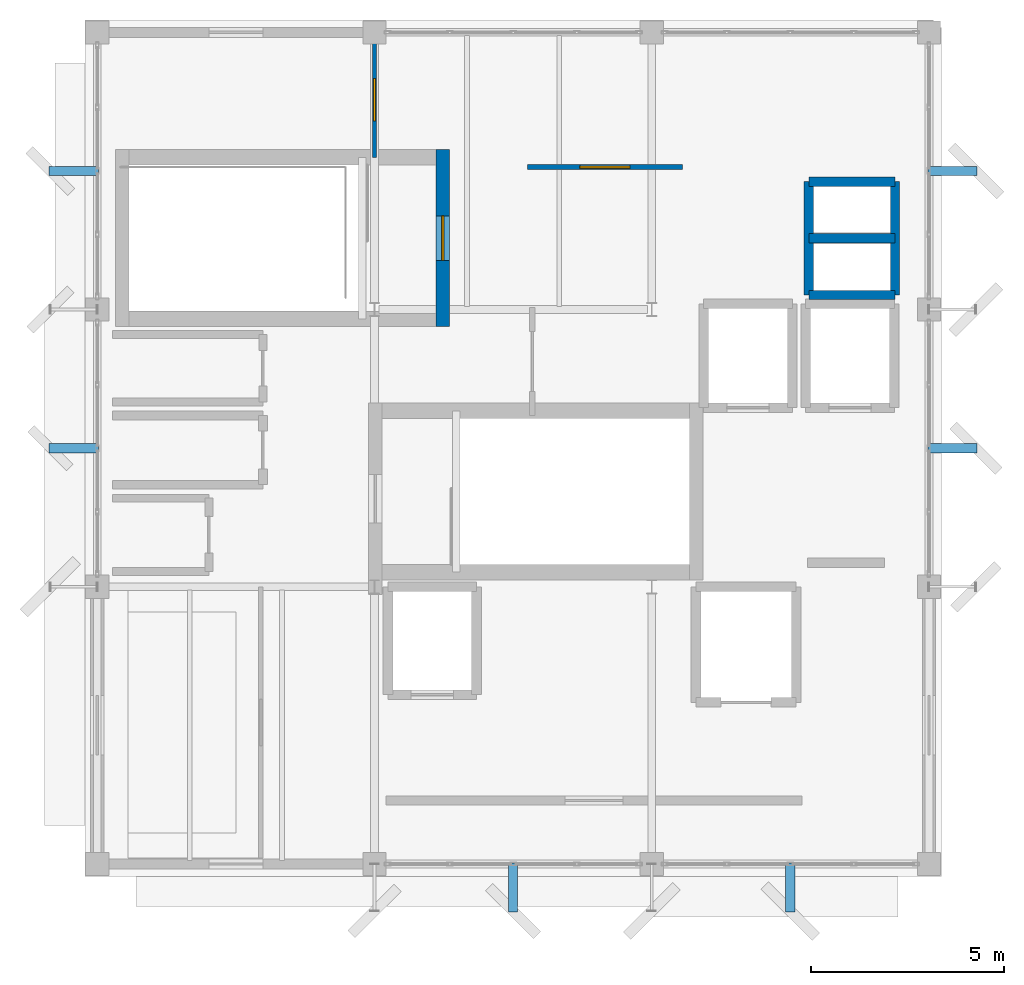
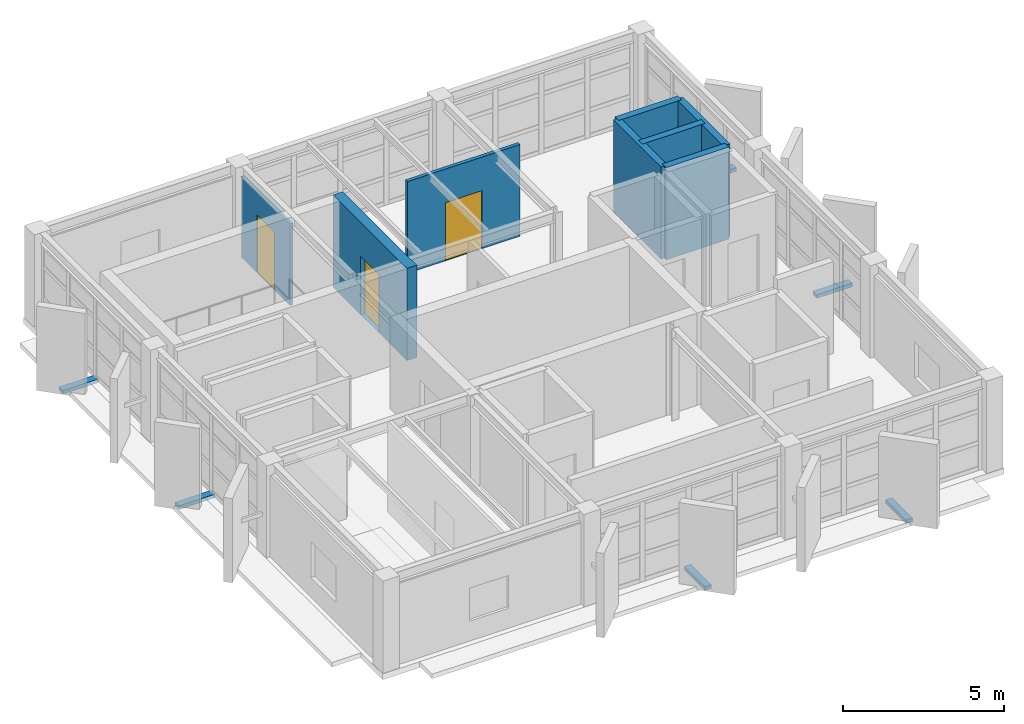
# One storey, part 10 of 13: 8 walls, 6 discrete accessories, 3 doors, 3 openings.
"""IFC4 building model written with IfcOpenShell, lengths in metres."""

from ifc_helpers import new_model, si_unit, direction, frame, frame_2d, origin, origin_2d, place, context, subcontext, project, spatial, rectangle, extrude, material, layer, layer_set, type_object, element, fill, save


model = new_model("IFC4")

# Units and contexts
model_context = context("Model", 3, precision=1e-05, world=origin(), true_north=direction((0.0, 1.0)))
body_context = subcontext(model_context, "Body", "Model", "MODEL_VIEW")
ifc_project = project(units=[si_unit("LENGTHUNIT", "METRE"), si_unit("AREAUNIT", "SQUARE_METRE"), si_unit("VOLUMEUNIT", "CUBIC_METRE"), si_unit("PLANEANGLEUNIT", "RADIAN"), si_unit("MASSUNIT", "GRAM", prefix="KILO")], contexts=[model_context])

# Site, building, storey
site_placement = place(None, origin())
site = spatial("IfcSite", under=ifc_project, at=site_placement, CompositionType="ELEMENT")
building_placement = place(site_placement, origin())
building = spatial("IfcBuilding", under=site, at=building_placement, Name="Kandorven Conservatory and Botanical Research Centre", CompositionType="ELEMENT")
storey_placement = place(building_placement, frame((0.0, 0.0, 63.14990234375)))
storey = spatial("IfcBuildingStorey", under=building, at=storey_placement, Name="L16", CompositionType="ELEMENT", Elevation=63.14990234375)

# Wall, opening, door
ifc_material_1 = material(Name="Concrete C40/50 (M50)", Category="concrete")
ifc_layer_1 = layer(ifc_material_1, 0.35009765625)
ifc_layer_set_1 = layer_set([ifc_layer_1], Name="Concrete C40/50 (M50)")
wall_type_1 = type_object("IfcWallType", Name="Wall_CW-RC-2", PredefinedType="SHEAR", material=ifc_layer_set_1)
wall_1_placement = place(storey_placement, frame((14.97509765625, 24.550048828125, 0.0), z_axis=(0.0, 0.0, 1.0), x_axis=(0.0, -1.0, 0.0)))
wall_1 = element("IfcWall", 1, at=wall_1_placement, inside=storey, type_object=wall_type_1, Name="Core stair shear wall CW-RC-2 ST-T2 L16 entry", PredefinedType="SHEAR", context=body_context, shape_type="SweptSolid", body=[
    extrude(rectangle(XDim=4.590087890625, YDim=0.35009765625, at=frame_2d((2.294921875, 0.0))), origin(), (0.0, 0.0, 1.0), 3.489990234375),
])
opening_1_placement = place(wall_1_placement, frame((1.719970703125, 0.0, 0.0)))
opening_1 = element("IfcOpeningElement", 2, at=opening_1_placement, cuts=wall_1, Name="Opening FD-2", PredefinedType="OPENING", context=body_context, shape_type="SweptSolid", body=[
    extrude(rectangle(XDim=1.14990234375, YDim=2.199951171875, at=frame_2d((0.574951171875, 1.10009765625))), frame((0.0, 0.18505859375, 0.0), z_axis=(0.0, -1.0, 0.0), x_axis=(1.0, 0.0, 0.0)), (0.0, 0.0, 1.0), 0.3701171875),
])
ifc_material_2 = material(Name="Galvanised hollow steel fire door assembly", Category="steel")
door_type_1 = type_object("IfcDoorType", Name="Door_FD-2", OperationType="NOTDEFINED", PredefinedType="DOOR", material=ifc_material_2)
door_1_placement = place(opening_1_placement, origin())
door_1 = element("IfcDoor", 3, at=door_1_placement, inside=storey, type_object=door_type_1, Name="Exit stair fire door FD-2 ST-T2 L16", OperationType="SINGLE_SWING_LEFT", OverallHeight=2.199951171875, OverallWidth=1.14990234375, PredefinedType="DOOR", context=body_context, shape_type="SweptSolid", body=[
    extrude(rectangle(XDim=1.14990234375, YDim=2.199951171875, at=frame_2d((0.574951171875, 1.10009765625))), frame((0.0, 0.02490234375, 0.0), z_axis=(0.0, -1.0, 0.0), x_axis=(1.0, 0.0, 0.0)), (0.0, 0.0, 1.0), 0.050048828125),
])
fill(opening_1, door_1)

# Walls
for number, where, z_axis, x_axis, name in (
    (4, (24.47998046875, 20.780029296875, 0.0), (0.0, 0.0, 1.0), (1.0, 0.0, 0.0), "Core MEP riser shaft wall CW-RC-2 L16 S"),
    (5, (24.47998046875, 22.25, 0.0), (0.0, 0.0, 1.0), (1.0, 0.0, 0.0), "Core MEP riser shaft wall CW-RC-2 L16 M"),
    (6, (24.47998046875, 23.719970703125, 0.0), (0.0, 0.0, 1.0), (1.0, 0.0, 0.0), "Core MEP riser shaft wall CW-RC-2 L16 N"),
):
    element("IfcWall", number, at=place(storey_placement, frame(where, z_axis=z_axis, x_axis=x_axis)), inside=storey, type_object=wall_type_1, Name=name, PredefinedType="SHEAR", context=body_context, shape_type="SweptSolid", body=[
        extrude(rectangle(XDim=2.239990234375, YDim=0.239990234375, at=frame_2d((1.1201171875, 0.0))), origin(), (0.0, 0.0, 1.0), 3.489990234375),
    ])
for number, where, z_axis, x_axis, name in (
    (7, (24.47998046875, 20.780029296875, 0.0), (0.0, 0.0, 1.0), (0.0, 1.0, 0.0), "Core MEP riser shaft wall CW-RC-2 L16 W"),
    (8, (26.719970703125, 20.780029296875, 0.0), (0.0, 0.0, 1.0), (0.0, 1.0, 0.0), "Core MEP riser shaft wall CW-RC-2 L16 E"),
):
    element("IfcWall", number, at=place(storey_placement, frame(where, z_axis=z_axis, x_axis=x_axis)), inside=storey, type_object=wall_type_1, Name=name, PredefinedType="SHEAR", context=body_context, shape_type="SweptSolid", body=[
        extrude(rectangle(XDim=2.93994140625, YDim=0.239990234375, at=frame_2d((1.469970703125, 0.0))), origin(), (0.0, 0.0, 1.0), 3.489990234375),
    ])

# Wall, opening, door
ifc_material_3 = material(Name="Fire-rated acoustic gypsum board partition", Category="gypsum")
ifc_layer_2 = layer(ifc_material_3, 0.10595703125)
ifc_layer_set_2 = layer_set([ifc_layer_2], Name="Fire-rated acoustic gypsum board partition")
wall_type_2 = type_object("IfcWallType", Name="Wall_IW-11", PredefinedType="PARTITIONING", material=ifc_layer_set_2)
wall_2_placement = place(storey_placement, frame((13.199951171875, 24.35009765625, 0.0), z_axis=(0.0, 0.0, 1.0), x_axis=(0.0, 1.0, 0.0)))
wall_2 = element("IfcWall", 9, at=wall_2_placement, inside=storey, type_object=wall_type_2, Name="Interior partition wall IW-11 (Botanical Phenology Studio L16)", PredefinedType="PARTITIONING", context=body_context, shape_type="SweptSolid", body=[
    extrude(rectangle(XDim=3.0, YDim=0.10595703125, at=frame_2d((1.5, 0.0))), origin(), (0.0, 0.0, 1.0), 3.080078125),
])
opening_2_placement = place(wall_2_placement, frame((0.949951171875, 0.0, 0.0)))
opening_2 = element("IfcOpeningElement", 10, at=opening_2_placement, cuts=wall_2, Name="Opening D-04", PredefinedType="OPENING", context=body_context, shape_type="SweptSolid", body=[
    extrude(rectangle(XDim=1.10009765625, YDim=2.199951171875, at=frame_2d((0.550048828125, 1.10009765625))), frame((0.0, 0.06298828125, 0.0), z_axis=(0.0, -1.0, 0.0), x_axis=(1.0, 0.0, 0.0)), (0.0, 0.0, 1.0), 0.1259765625),
])
ifc_material_4 = material(Name="Solid core acoustic teak-veneered timber leaf", Category="wood")
door_type_2 = type_object("IfcDoorType", Name="Door_D-04", OperationType="NOTDEFINED", PredefinedType="DOOR", material=ifc_material_4)
door_2_placement = place(opening_2_placement, origin())
door_2 = element("IfcDoor", 11, at=door_2_placement, inside=storey, type_object=door_type_2, Name="Interior door D-04 to Botanical Phenology Studio L16", OperationType="SINGLE_SWING_RIGHT", OverallHeight=2.199951171875, OverallWidth=1.10009765625, PredefinedType="DOOR", context=body_context, shape_type="SweptSolid", body=[
    extrude(rectangle(XDim=1.10009765625, YDim=2.199951171875, at=frame_2d((0.550048828125, 1.10009765625))), frame((0.0, 0.02490234375, 0.0), z_axis=(0.0, -1.0, 0.0), x_axis=(1.0, 0.0, 0.0)), (0.0, 0.0, 1.0), 0.050048828125),
])
fill(opening_2, door_2)

ifc_material_5 = material(Name="Fire-rated acoustic gypsum board partition", Category="gypsum")
ifc_layer_3 = layer(ifc_material_5, 0.1259765625)
ifc_layer_set_3 = layer_set([ifc_layer_3], Name="Fire-rated acoustic gypsum board partition")
wall_type_3 = type_object("IfcWallType", Name="Wall_IW-13", PredefinedType="PARTITIONING", material=ifc_layer_set_3)
wall_3_placement = place(storey_placement, frame((17.169921875, 24.10009765625, 0.0), z_axis=(0.0, 0.0, 1.0), x_axis=(1.0, 0.0, 0.0)))
wall_3 = element("IfcWall", 12, at=wall_3_placement, inside=storey, type_object=wall_type_3, Name="Interior partition wall IW-13 (Botanical Systematics Research Laboratory L16)", PredefinedType="PARTITIONING", context=body_context, shape_type="SweptSolid", body=[
    extrude(rectangle(XDim=4.030029296875, YDim=0.1259765625, at=frame_2d((2.01513671875, 0.0))), origin(), (0.0, 0.0, 1.0), 3.47021484375),
])
opening_3_placement = place(wall_3_placement, frame((1.364990234375, 0.0, 0.0)))
opening_3 = element("IfcOpeningElement", 13, at=opening_3_placement, cuts=wall_3, Name="Opening D-06", PredefinedType="OPENING", context=body_context, shape_type="SweptSolid", body=[
    extrude(rectangle(XDim=1.300048828125, YDim=2.199951171875, at=frame_2d((0.64990234375, 1.10009765625))), frame((0.0, 0.072998046875, 0.0), z_axis=(0.0, -1.0, 0.0), x_axis=(1.0, 0.0, 0.0)), (0.0, 0.0, 1.0), 0.14599609375),
])
ifc_material_6 = material(Name="Solid core acoustic teak-veneered timber leaf", Category="wood")
door_type_3 = type_object("IfcDoorType", Name="Door_D-06", OperationType="NOTDEFINED", PredefinedType="DOOR", material=ifc_material_6)
door_3_placement = place(opening_3_placement, origin())
door_3 = element("IfcDoor", 14, at=door_3_placement, inside=storey, type_object=door_type_3, Name="Interior door D-06 to Botanical Systematics Research Laboratory L16", OperationType="SINGLE_SWING_RIGHT", OverallHeight=2.199951171875, OverallWidth=1.300048828125, PredefinedType="DOOR", context=body_context, shape_type="SweptSolid", body=[
    extrude(rectangle(XDim=1.300048828125, YDim=2.199951171875, at=frame_2d((0.64990234375, 1.10009765625))), frame((0.0, 0.02490234375, 0.0), z_axis=(0.0, -1.0, 0.0), x_axis=(1.0, 0.0, 0.0)), (0.0, 0.0, 1.0), 0.050048828125),
])
fill(opening_3, door_3)

# Discrete accessories
ifc_material_7 = material(Name="Steel S355 (IS 2062 E350)", Category="steel")
discrete_accessory_type = type_object("IfcDiscreteAccessoryType", Name="JaliBracket", PredefinedType="BRACKET", material=ifc_material_7)
for number, where, z_axis, x_axis, name in (
    (15, (16.800048828125, 5.389892578125, -0.1298828125), (0.0, 0.0, 1.0), (1.0, 0.0, 0.0), "Stainless steel fin support bracket BRK-01 #146"),
    (16, (24.0, 5.389892578125, -0.1298828125), (0.0, 0.0, 1.0), (1.0, 0.0, 0.0), "Stainless steel fin support bracket BRK-01 #148"),
):
    element("IfcDiscreteAccessory", number, at=place(storey_placement, frame(where, z_axis=z_axis, x_axis=x_axis)), inside=storey, type_object=discrete_accessory_type, Name=name, PredefinedType="BRACKET", context=body_context, shape_type="SweptSolid", body=[
        extrude(rectangle(XDim=0.239990234375, YDim=1.280029296875, at=origin_2d()), origin(), (0.0, 0.0, 1.0), 0.139892578125),
    ])
for number, where, z_axis, x_axis, name in (
    (17, (5.389892578125, 16.800048828125, -0.1298828125), (0.0, 0.0, 1.0), (1.0, 0.0, 0.0), "Stainless steel fin support bracket BRK-01 #150"),
    (18, (5.389892578125, 24.0, -0.1298828125), (0.0, 0.0, 1.0), (1.0, 0.0, 0.0), "Stainless steel fin support bracket BRK-01 #152"),
    (19, (28.2099609375, 16.800048828125, -0.1298828125), (0.0, 0.0, 1.0), (1.0, 0.0, 0.0), "Stainless steel fin support bracket BRK-01 #154"),
    (20, (28.2099609375, 24.0, -0.1298828125), (0.0, 0.0, 1.0), (1.0, 0.0, 0.0), "Stainless steel fin support bracket BRK-01 #156"),
):
    element("IfcDiscreteAccessory", number, at=place(storey_placement, frame(where, z_axis=z_axis, x_axis=x_axis)), inside=storey, type_object=discrete_accessory_type, Name=name, PredefinedType="BRACKET", context=body_context, shape_type="SweptSolid", body=[
        extrude(rectangle(XDim=1.280029296875, YDim=0.239990234375, at=origin_2d()), origin(), (0.0, 0.0, 1.0), 0.139892578125),
    ])

save(model, "model.ifc")
